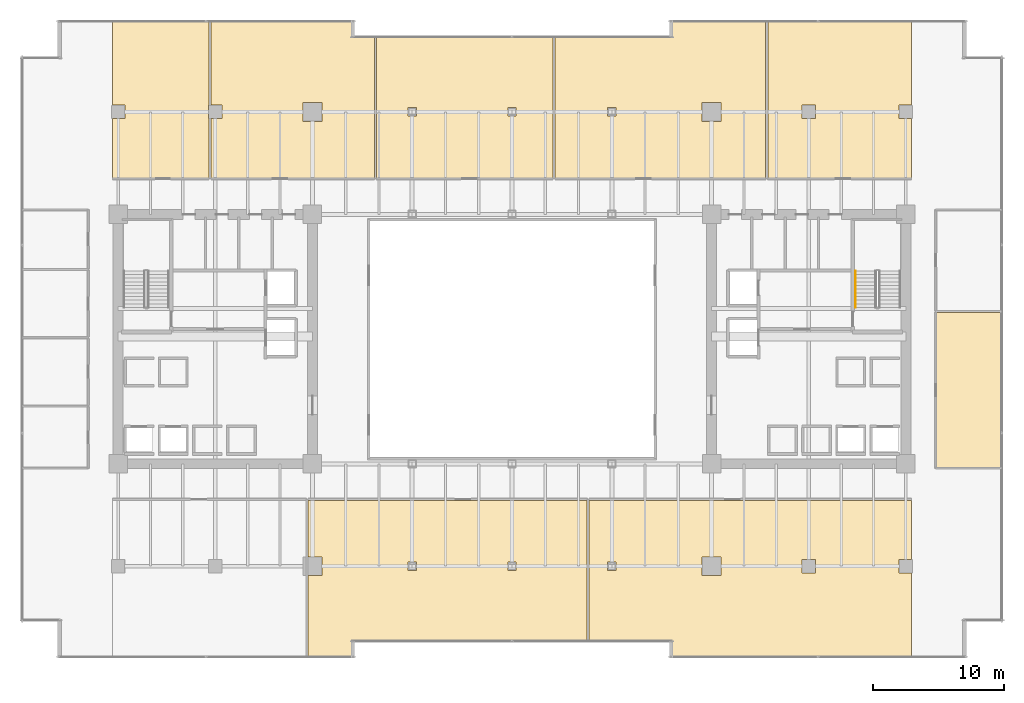
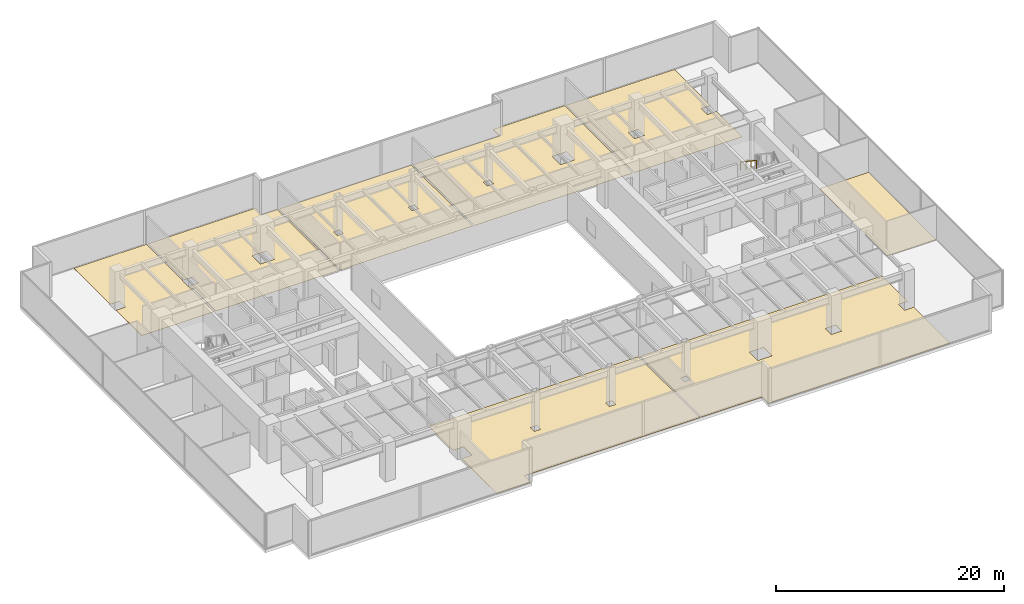
# One storey, part 35 of 36: 8 coverings, 1 railing.
"""IFC4 building model written with IfcOpenShell, lengths in metres."""

from ifc_helpers import new_model, si_unit, direction, frame, origin, origin_2d, place, context, subcontext, project, spatial, polyline, circle, outline, extrude, source, transform, mapped, material, layer, layer_set, type_object, type_shapes, element, save


model = new_model("IFC4")

# Units and contexts
model_context = context("Model", 3, precision=1e-05, world=origin(), true_north=direction((0.0, 1.0)))
body_context = subcontext(model_context, "Body", "Model", "MODEL_VIEW")
ifc_project = project(units=[si_unit("LENGTHUNIT", "METRE"), si_unit("AREAUNIT", "SQUARE_METRE"), si_unit("VOLUMEUNIT", "CUBIC_METRE"), si_unit("PLANEANGLEUNIT", "RADIAN"), si_unit("MASSUNIT", "GRAM", prefix="KILO")], contexts=[model_context])

# Site, building, storey
site_placement = place(None, origin())
site = spatial("IfcSite", under=ifc_project, at=site_placement, CompositionType="ELEMENT")
building_placement = place(site_placement, origin())
building = spatial("IfcBuilding", under=site, at=building_placement, Name="Haelvirn Gate Laboratories", CompositionType="ELEMENT")
storey_placement = place(building_placement, frame((0.0, 0.0, 49.800048828125)))
storey = spatial("IfcBuildingStorey", under=building, at=storey_placement, Name="L12", CompositionType="ELEMENT", Elevation=49.800048828125)

# Coverings
ifc_material_1 = material(Name="Seamless chemical-resistant epoxy laboratory flooring")
ifc_layer = layer(ifc_material_1, 0.01806640625, Name="COV-FLR-RESIN")
ifc_layer_set = layer_set([ifc_layer], Name="Seamless chemical-resistant epoxy laboratory flooring")
covering_type = type_object("IfcCoveringType", Name="COV-FLR-RESIN", PredefinedType="FLOORING", material=ifc_layer_set)
covering_1_placement = place(storey_placement, origin())
element("IfcCovering", 1, at=covering_1_placement, inside=storey, type_object=covering_type, Name="L12 Seamless Laboratory Flooring FLR-SP-L12-S-02", PredefinedType="FLOORING", context=body_context, shape_type="SweptSolid", body=[
    extrude(outline(polyline([(21.8798828125, 7.719970703125), (21.8798828125, 12.02001953125), (43.1201171875, 12.02001953125), (43.1201171875, 1.239990234375), (25.39990234375, 1.239990234375), (25.39599609375, 1.23974609375), (25.39208984375, 1.2392578125), (25.388427734375, 1.23828125), (25.384765625, 1.237060546875), (25.381103515625, 1.2353515625), (25.377685546875, 1.2333984375), (25.37451171875, 1.23095703125), (25.37158203125, 1.228271484375), (25.369140625, 1.225341796875), (25.36669921875, 1.22216796875), (25.36474609375, 1.218994140625), (25.363037109375, 1.21533203125), (25.36181640625, 1.211669921875), (25.36083984375, 1.207763671875), (25.360107421875, 1.203857421875), (25.360107421875, 1.199951171875), (25.360107421875, 0.110107421875), (21.8798828125, 0.110107421875), (21.8798828125, 6.280029296875), (22.919921875, 6.280029296875), (22.919921875, 7.719970703125), (21.8798828125, 7.719970703125)]), holes=[polyline([(29.47998046875, 6.679931640625), (30.1201171875, 6.679931640625), (30.1201171875, 7.320068359375), (29.47998046875, 7.320068359375), (29.47998046875, 6.679931640625)]), polyline([(37.080078125, 7.320068359375), (37.080078125, 6.679931640625), (37.719970703125, 6.679931640625), (37.719970703125, 7.320068359375), (37.080078125, 7.320068359375)])]), origin(), (0.0, 0.0, 1.0), 0.01806640625),
])
covering_2_placement = place(storey_placement, origin())
element("IfcCovering", 2, at=covering_2_placement, inside=storey, type_object=covering_type, Name="L12 Seamless Laboratory Flooring FLR-SP-L12-S-03", PredefinedType="FLOORING", context=body_context, shape_type="SweptSolid", body=[
    extrude(outline(polyline([(49.439697265625, 1.203857421875), (49.439208984375, 1.207763671875), (49.438232421875, 1.211669921875), (49.43701171875, 1.21533203125), (49.435302734375, 1.218994140625), (49.433349609375, 1.22216796875), (49.430908203125, 1.225341796875), (49.42822265625, 1.228271484375), (49.42529296875, 1.23095703125), (49.422119140625, 1.2333984375), (49.4189453125, 1.2353515625), (49.415283203125, 1.237060546875), (49.41162109375, 1.23828125), (49.40771484375, 1.2392578125), (49.40380859375, 1.23974609375), (49.39990234375, 1.239990234375), (43.280029296875, 1.239990234375), (43.280029296875, 12.02001953125), (67.820068359375, 12.02001953125), (67.820068359375, 7.52001953125), (66.8798828125, 7.52001953125), (66.8798828125, 6.47998046875), (67.820068359375, 6.47998046875), (67.820068359375, 0.110107421875), (49.43994140625, 0.110107421875), (49.43994140625, 1.199951171875), (49.439697265625, 1.203857421875)]), holes=[polyline([(53.320068359375, 7.719970703125), (51.8798828125, 7.719970703125), (51.8798828125, 6.280029296875), (53.320068359375, 6.280029296875), (53.320068359375, 7.719970703125)]), polyline([(60.52001953125, 6.47998046875), (60.52001953125, 7.52001953125), (59.47998046875, 7.52001953125), (59.47998046875, 6.47998046875), (60.52001953125, 6.47998046875)]), polyline([(44.679931640625, 7.320068359375), (44.679931640625, 6.679931640625), (45.320068359375, 6.679931640625), (45.320068359375, 7.320068359375), (44.679931640625, 7.320068359375)])]), origin(), (0.0, 0.0, 1.0), 0.01806640625),
])
covering_3_placement = place(storey_placement, origin())
element("IfcCovering", 3, at=covering_3_placement, inside=storey, type_object=covering_type, Name="L12 Seamless Laboratory Flooring FLR-SP-L12-N-01", PredefinedType="FLOORING", context=body_context, shape_type="SweptSolid", body=[
    extrude(outline(polyline([(14.320068359375, 42.1201171875), (14.280029296875, 42.1201171875), (14.280029296875, 41.080078125), (14.320068359375, 41.080078125), (14.320068359375, 36.580078125), (6.97998046875, 36.580078125), (6.97998046875, 41.080078125), (7.919921875, 41.080078125), (7.919921875, 42.1201171875), (6.97998046875, 42.1201171875), (6.97998046875, 48.489990234375), (14.320068359375, 48.489990234375), (14.320068359375, 42.1201171875)])), origin(), (0.0, 0.0, 1.0), 0.01806640625),
])
covering_4_placement = place(storey_placement, origin())
element("IfcCovering", 4, at=covering_4_placement, inside=storey, type_object=covering_type, Name="L12 Seamless Laboratory Flooring FLR-SP-L12-N-02", PredefinedType="FLOORING", context=body_context, shape_type="SweptSolid", body=[
    extrude(outline(polyline([(15.320068359375, 41.080078125), (15.320068359375, 42.1201171875), (14.47998046875, 42.1201171875), (14.47998046875, 48.489990234375), (25.360107421875, 48.489990234375), (25.360107421875, 47.39990234375), (25.360107421875, 47.39599609375), (25.36083984375, 47.39208984375), (25.36181640625, 47.388427734375), (25.363037109375, 47.384765625), (25.36474609375, 47.381103515625), (25.36669921875, 47.377685546875), (25.369140625, 47.37451171875), (25.37158203125, 47.37158203125), (25.37451171875, 47.369140625), (25.377685546875, 47.36669921875), (25.381103515625, 47.36474609375), (25.384765625, 47.363037109375), (25.388427734375, 47.36181640625), (25.39208984375, 47.36083984375), (25.39599609375, 47.360107421875), (25.39990234375, 47.360107421875), (26.919921875, 47.360107421875), (26.919921875, 36.580078125), (14.47998046875, 36.580078125), (14.47998046875, 41.080078125), (15.320068359375, 41.080078125)]), holes=[polyline([(21.47998046875, 42.320068359375), (21.47998046875, 40.8798828125), (22.919921875, 40.8798828125), (22.919921875, 42.320068359375), (21.47998046875, 42.320068359375)])]), origin(), (0.0, 0.0, 1.0), 0.01806640625),
])
covering_5_placement = place(storey_placement, origin())
element("IfcCovering", 5, at=covering_5_placement, inside=storey, type_object=covering_type, Name="L12 Seamless Laboratory Flooring FLR-SP-L12-N-03", PredefinedType="FLOORING", context=body_context, shape_type="SweptSolid", body=[
    extrude(outline(polyline([(40.52001953125, 47.360107421875), (40.52001953125, 36.580078125), (27.080078125, 36.580078125), (27.080078125, 47.360107421875), (40.52001953125, 47.360107421875)]), holes=[polyline([(29.47998046875, 41.280029296875), (30.1201171875, 41.280029296875), (30.1201171875, 41.919921875), (29.47998046875, 41.919921875), (29.47998046875, 41.280029296875)]), polyline([(37.080078125, 41.919921875), (37.080078125, 41.280029296875), (37.719970703125, 41.280029296875), (37.719970703125, 41.919921875), (37.080078125, 41.919921875)])]), origin(), (0.0, 0.0, 1.0), 0.01806640625),
])
covering_6_placement = place(storey_placement, origin())
element("IfcCovering", 6, at=covering_6_placement, inside=storey, type_object=covering_type, Name="L12 Seamless Laboratory Flooring FLR-SP-L12-N-04", PredefinedType="FLOORING", context=body_context, shape_type="SweptSolid", body=[
    extrude(outline(polyline([(40.679931640625, 47.360107421875), (49.39990234375, 47.360107421875), (49.40380859375, 47.360107421875), (49.40771484375, 47.36083984375), (49.41162109375, 47.36181640625), (49.415283203125, 47.363037109375), (49.4189453125, 47.36474609375), (49.422119140625, 47.36669921875), (49.42529296875, 47.369140625), (49.42822265625, 47.37158203125), (49.430908203125, 47.37451171875), (49.433349609375, 47.377685546875), (49.435302734375, 47.381103515625), (49.43701171875, 47.384765625), (49.438232421875, 47.388427734375), (49.439208984375, 47.39208984375), (49.439697265625, 47.39599609375), (49.43994140625, 47.39990234375), (49.43994140625, 48.489990234375), (56.719970703125, 48.489990234375), (56.719970703125, 36.580078125), (40.679931640625, 36.580078125), (40.679931640625, 47.360107421875)]), holes=[polyline([(51.8798828125, 40.8798828125), (53.320068359375, 40.8798828125), (53.320068359375, 42.320068359375), (51.8798828125, 42.320068359375), (51.8798828125, 40.8798828125)]), polyline([(44.679931640625, 41.919921875), (44.679931640625, 41.280029296875), (45.320068359375, 41.280029296875), (45.320068359375, 41.919921875), (44.679931640625, 41.919921875)])]), origin(), (0.0, 0.0, 1.0), 0.01806640625),
])
covering_7_placement = place(storey_placement, origin())
element("IfcCovering", 7, at=covering_7_placement, inside=storey, type_object=covering_type, Name="L12 Seamless Laboratory Flooring FLR-SP-L12-N-05", PredefinedType="FLOORING", context=body_context, shape_type="SweptSolid", body=[
    extrude(outline(polyline([(67.820068359375, 42.1201171875), (66.8798828125, 42.1201171875), (66.8798828125, 41.080078125), (67.820068359375, 41.080078125), (67.820068359375, 36.580078125), (56.8798828125, 36.580078125), (56.8798828125, 48.489990234375), (67.820068359375, 48.489990234375), (67.820068359375, 42.1201171875)]), holes=[polyline([(59.47998046875, 41.080078125), (60.52001953125, 41.080078125), (60.52001953125, 42.1201171875), (59.47998046875, 42.1201171875), (59.47998046875, 41.080078125)])]), origin(), (0.0, 0.0, 1.0), 0.01806640625),
])
covering_8_placement = place(storey_placement, origin())
element("IfcCovering", 8, at=covering_8_placement, inside=storey, type_object=covering_type, Name="L12 Seamless Laboratory Flooring FLR-SP-L12-ECELL-01", PredefinedType="FLOORING", context=body_context, shape_type="SweptSolid", body=[
    extrude(outline(polyline([(69.739990234375, 26.340087890625), (74.68994140625, 26.340087890625), (74.68994140625, 14.465087890625), (69.739990234375, 14.465087890625), (69.739990234375, 26.340087890625)])), origin(), (0.0, 0.0, 1.0), 0.01806640625),
])

# Railing
ifc_material_2 = material(Name="Brushed stainless steel 316L", Category="steel")
railing_type = type_object("IfcRailingType", Name="RL-HAND-920", PredefinedType="HANDRAIL", material=ifc_material_2)
shared_shape = source(origin(), body_context, "Body", "SweptSolid", [
    extrude(circle(Radius=0.02392578125, at=origin_2d()), frame((0.0, 0.0, 0.8759765625), z_axis=(0.0, -0.832485552168, 0.554046753832), x_axis=(1.0, 0.0, 0.0)), (0.0, 0.0, 1.0), 3.363525390625),
    extrude(circle(Radius=0.02099609375, at=origin_2d()), origin(), (0.0, 0.0, 1.0), 0.851806640625),
    extrude(circle(Radius=0.02099609375, at=origin_2d()), frame((0.0, -0.933349609375, 0.62109375)), (0.0, 0.0, 1.0), 0.851806640625),
    extrude(circle(Radius=0.02099609375, at=origin_2d()), frame((0.0, -1.86669921875, 1.242431640625)), (0.0, 0.0, 1.0), 0.851806640625),
    extrude(circle(Radius=0.02099609375, at=origin_2d()), frame((0.0, -2.800048828125, 1.863525390625)), (0.0, 0.0, 1.0), 0.851806640625),
])
type_shapes(railing_type, [shared_shape])
railing_placement = place(storey_placement, frame((63.550048828125, 29.5, 2.236328125)))
element("IfcRailing", 9, at=railing_placement, inside=storey, type_object=railing_type, Name="L12 ST2 stair handrail 2", PredefinedType="HANDRAIL", context=body_context, shape_type="MappedRepresentation", body=[
    mapped(shared_shape, transform((0.0, 0.0, 0.0), scale=1.0)),
])

save(model, "model.ifc")
